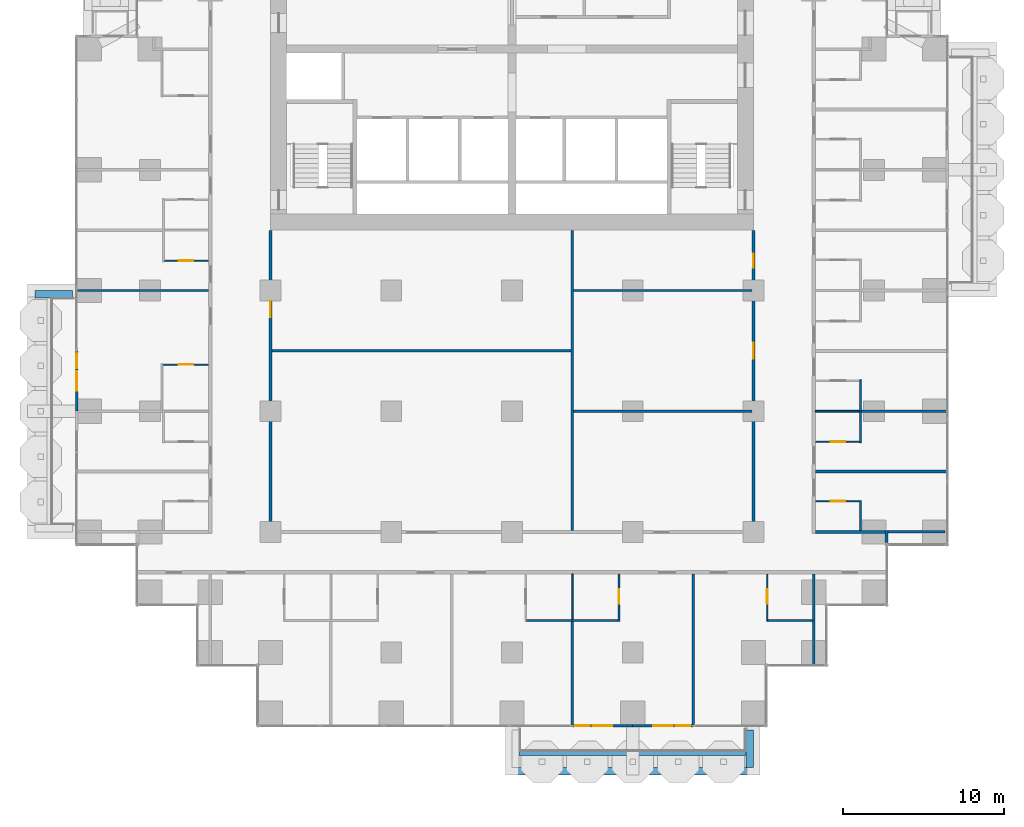
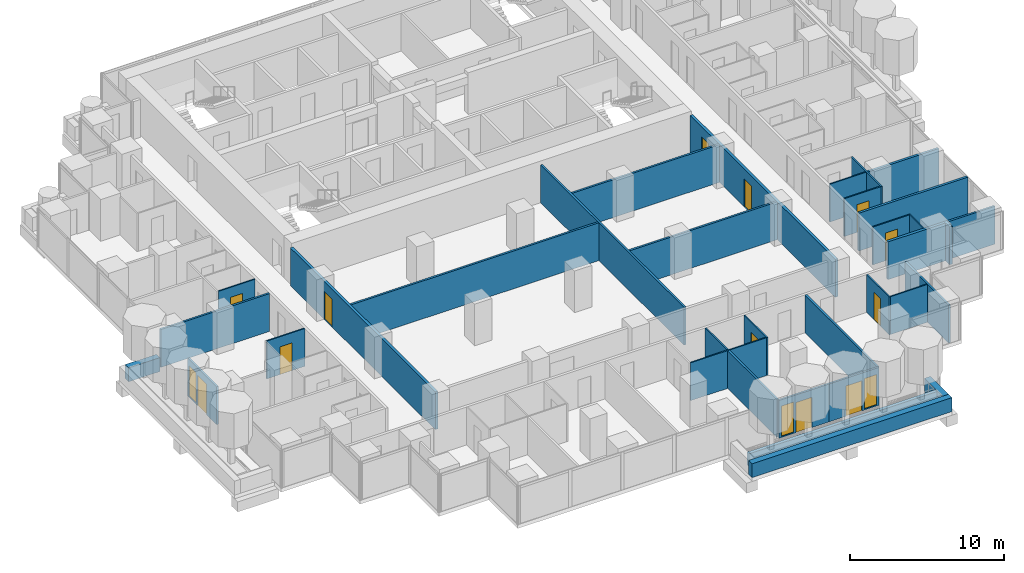
# One storey, part 12 of 19: 34 walls, 12 doors, 3 windows, 15 openings.
"""IFC4 building model written with IfcOpenShell, lengths in metres."""

from ifc_helpers import new_model, si_unit, direction, frame, frame_2d, origin, place, context, subcontext, project, spatial, rectangle, extrude, material, layer, layer_set, type_object, element, fill, save


model = new_model("IFC4")

# Units and contexts
model_context = context("Model", 3, precision=1e-05, world=origin(), true_north=direction((0.0, 1.0)))
body_context = subcontext(model_context, "Body", "Model", "MODEL_VIEW")
ifc_project = project(units=[si_unit("LENGTHUNIT", "METRE"), si_unit("AREAUNIT", "SQUARE_METRE"), si_unit("VOLUMEUNIT", "CUBIC_METRE"), si_unit("PLANEANGLEUNIT", "RADIAN"), si_unit("MASSUNIT", "GRAM", prefix="KILO")], contexts=[model_context])

# Site, building, storey
site_placement = place(None, origin())
site = spatial("IfcSite", under=ifc_project, at=site_placement, CompositionType="ELEMENT")
building_placement = place(site_placement, origin())
building = spatial("IfcBuilding", under=site, at=building_placement, Name="Pilkhan Gate Tower", CompositionType="ELEMENT")
storey_placement = place(building_placement, frame((0.0, 0.0, 59.300048828125)))
storey = spatial("IfcBuildingStorey", under=building, at=storey_placement, Name="L12", CompositionType="ELEMENT", Elevation=59.300048828125)

# Walls
ifc_material_1 = material(Name="Dense blockwork", Category="masonry")
ifc_layer_1 = layer(ifc_material_1, 0.175048828125)
ifc_layer_set_1 = layer_set([ifc_layer_1], Name="Acoustic party wall PW175")
wall_type_1 = type_object("IfcWallType", Name="Acoustic party wall PW175", PredefinedType="PARTITIONING", material=ifc_layer_set_1)
wall_1_placement = place(storey_placement, frame((93.85009765625, 56.25, 0.0), z_axis=(0.0, 0.0, 1.0), x_axis=(1.0, 0.0, 0.0)))
element("IfcWall", 1, at=wall_1_placement, inside=storey, type_object=wall_type_1, Name="Partition L12", PredefinedType="PARTITIONING", context=body_context, shape_type="SweptSolid", body=[
    extrude(rectangle(XDim=8.164794921875, YDim=0.175048828125, at=frame_2d((4.08251953125, 0.0))), origin(), (0.0, 0.0, 1.0), 3.0),
])
wall_2_placement = place(storey_placement, frame((96.699951171875, 60.0, 0.0), z_axis=(0.0, 0.0, 1.0), x_axis=(1.0, 0.0, 0.0)))
element("IfcWall", 2, at=wall_2_placement, inside=storey, type_object=wall_type_1, Name="Partition L12", PredefinedType="PARTITIONING", context=body_context, shape_type="SweptSolid", body=[
    extrude(rectangle(XDim=5.31494140625, YDim=0.175048828125, at=frame_2d((2.657470703125, 0.0))), origin(), (0.0, 0.0, 1.0), 3.0),
])
ifc_material_2 = material(Name="Concrete C40/50", Category="concrete")
ifc_layer_2 = layer(ifc_material_2, 0.25)
ifc_layer_set_2 = layer_set([ifc_layer_2], Name="Balcony planter BP250")
wall_type_2 = type_object("IfcWallType", Name="Balcony planter BP250", PredefinedType="USERDEFINED", material=ifc_layer_set_2)
wall_3_placement = place(storey_placement, frame((75.449951171875, 38.72509765625, 0.0), z_axis=(0.0, 0.0, 1.0), x_axis=(1.0, 0.0, 0.0)))
element("IfcWall", 3, at=wall_3_placement, inside=storey, type_object=wall_type_2, Name="Balcony planter L12 S", ObjectType="BALCONY PLANTER", PredefinedType="USERDEFINED", context=body_context, shape_type="SweptSolid", body=[
    extrude(rectangle(XDim=14.10009765625, YDim=0.25, at=frame_2d((7.050048828125, 0.0))), origin(), (0.0, 0.0, 1.0), 1.0),
])
ifc_material_3 = material(Name="Board-marked Concrete C40/50", Category="concrete")
ifc_layer_3 = layer(ifc_material_3, 0.449951171875)
ifc_layer_set_3 = layer_set([ifc_layer_3], Name="Balcony planter lip BL450")
wall_type_3 = type_object("IfcWallType", Name="Balcony planter lip BL450", PredefinedType="USERDEFINED", material=ifc_layer_set_3)
wall_4_placement = place(storey_placement, frame((75.0, 37.625, 0.0), z_axis=(0.0, 0.0, 1.0), x_axis=(1.0, 0.0, 0.0)))
element("IfcWall", 4, at=wall_4_placement, inside=storey, type_object=wall_type_3, Name="Balcony planter L12 S", ObjectType="BALCONY PLANTER", PredefinedType="USERDEFINED", context=body_context, shape_type="SweptSolid", body=[
    extrude(rectangle(XDim=15.0, YDim=0.449951171875, at=frame_2d((7.5, 0.0))), origin(), (0.0, 0.0, 1.0), 1.099853515625),
])
for number, where, z_axis, x_axis, name in (
    (5, (89.77490234375, 40.199951171875, 0.0), (0.0, 0.0, 1.0), (0.0, -1.0, 0.0), "Balcony planter L12 S"),
    (6, (47.699951171875, 67.27490234375, 0.0), (0.0, 0.0, 1.0), (-1.0, 0.0, 0.0), "Balcony planter L12 W"),
):
    element("IfcWall", number, at=place(storey_placement, frame(where, z_axis=z_axis, x_axis=x_axis)), inside=storey, type_object=wall_type_3, Name=name, ObjectType="BALCONY PLANTER", PredefinedType="USERDEFINED", context=body_context, shape_type="SweptSolid", body=[
        extrude(rectangle(XDim=2.349853515625, YDim=0.449951171875, at=frame_2d((1.1748046875, 0.0))), origin(), (0.0, 0.0, 1.0), 1.099853515625),
    ])
ifc_layer_4 = layer(ifc_material_1, 0.199951171875)
ifc_layer_set_4 = layer_set([ifc_layer_4], Name="Corridor wall FW200")
wall_type_4 = type_object("IfcWallType", Name="Corridor wall FW200", PredefinedType="PARTITIONING", material=ifc_layer_set_4)
wall_5_placement = place(storey_placement, frame((93.85009765625, 52.5, 0.0), z_axis=(0.0, 0.0, 1.0), x_axis=(1.0, 0.0, 0.0)))
element("IfcWall", 7, at=wall_5_placement, inside=storey, type_object=wall_type_4, Name="Partition L12", PredefinedType="PARTITIONING", context=body_context, shape_type="SweptSolid", body=[
    extrude(rectangle(XDim=4.31494140625, YDim=0.199951171875, at=frame_2d((2.157470703125, 0.0))), origin(), (0.0, 0.0, 1.0), 3.0),
])

# Wall, opening, door
wall_6_placement = place(storey_placement, frame((60.0, 52.39990234375, 0.0), z_axis=(0.0, 0.0, 1.0), x_axis=(0.0, 1.0, 0.0)))
wall_6 = element("IfcWall", 8, at=wall_6_placement, inside=storey, type_object=wall_type_4, Name="Partition L12", PredefinedType="PARTITIONING", context=body_context, shape_type="SweptSolid", body=[
    extrude(rectangle(XDim=18.840087890625, YDim=0.199951171875, at=frame_2d((9.419921875, 0.0))), origin(), (0.0, 0.0, 1.0), 3.0),
])
opening_1_placement = place(wall_6_placement, frame((13.449951171875, 0.0, 0.0)))
opening_1 = element("IfcOpeningElement", 9, at=opening_1_placement, cuts=wall_6, Name="Opening L12-57", PredefinedType="OPENING", context=body_context, shape_type="SweptSolid", body=[
    extrude(rectangle(XDim=1.0, YDim=2.199951171875, at=frame_2d((0.5, 1.10009765625))), frame((0.0, 0.10986328125, 0.0), z_axis=(0.0, -1.0, 0.0), x_axis=(1.0, 0.0, 0.0)), (0.0, 0.0, 1.0), 0.219970703125),
])
ifc_material_4 = material(Name="Timber flush door, 30 minute fire resisting", Category="wood")
door_type_1 = type_object("IfcDoorType", Name="Room door D03 1000x2200", OperationType="SINGLE_SWING_LEFT", PredefinedType="DOOR", material=ifc_material_4)
door_1_placement = place(opening_1_placement, origin())
door_1 = element("IfcDoor", 10, at=door_1_placement, inside=storey, type_object=door_type_1, Name="Room door", OperationType="SINGLE_SWING_LEFT", OverallHeight=2.199951171875, OverallWidth=1.0, PredefinedType="DOOR", context=body_context, shape_type="SweptSolid", body=[
    extrude(rectangle(XDim=1.0, YDim=2.199951171875, at=frame_2d((0.5, 1.10009765625))), frame((0.0, 0.02490234375, 0.0), z_axis=(0.0, -1.0, 0.0), x_axis=(1.0, 0.0, 0.0)), (0.0, 0.0, 1.0), 0.050048828125),
])
fill(opening_1, door_1)

# Wall, openings, doors
wall_7_placement = place(storey_placement, frame((90.0, 52.39990234375, 0.0), z_axis=(0.0, 0.0, 1.0), x_axis=(0.0, 1.0, 0.0)))
wall_7 = element("IfcWall", 11, at=wall_7_placement, inside=storey, type_object=wall_type_4, Name="Partition L12", PredefinedType="PARTITIONING", context=body_context, shape_type="SweptSolid", body=[
    extrude(rectangle(XDim=18.840087890625, YDim=0.199951171875, at=frame_2d((9.419921875, 0.0))), origin(), (0.0, 0.0, 1.0), 3.0),
])
opening_2_placement = place(wall_7_placement, frame((10.85009765625, 0.0, 0.0)))
opening_2 = element("IfcOpeningElement", 12, at=opening_2_placement, cuts=wall_7, Name="Opening L12-56", PredefinedType="OPENING", context=body_context, shape_type="SweptSolid", body=[
    extrude(rectangle(XDim=1.0, YDim=2.199951171875, at=frame_2d((0.5, 1.10009765625))), frame((0.0, 0.10986328125, 0.0), z_axis=(0.0, -1.0, 0.0), x_axis=(1.0, 0.0, 0.0)), (0.0, 0.0, 1.0), 0.219970703125),
])
opening_3_placement = place(wall_7_placement, frame((16.5, 0.0, 0.0)))
opening_3 = element("IfcOpeningElement", 13, at=opening_3_placement, cuts=wall_7, Name="Opening L12-58", PredefinedType="OPENING", context=body_context, shape_type="SweptSolid", body=[
    extrude(rectangle(XDim=0.89990234375, YDim=2.199951171875, at=frame_2d((0.449951171875, 1.10009765625))), frame((0.0, 0.10986328125, 0.0), z_axis=(0.0, -1.0, 0.0), x_axis=(1.0, 0.0, 0.0)), (0.0, 0.0, 1.0), 0.219970703125),
])
door_2_placement = place(opening_2_placement, origin())
door_2 = element("IfcDoor", 14, at=door_2_placement, inside=storey, type_object=door_type_1, Name="Room door", OperationType="SINGLE_SWING_RIGHT", OverallHeight=2.199951171875, OverallWidth=1.0, PredefinedType="DOOR", context=body_context, shape_type="SweptSolid", body=[
    extrude(rectangle(XDim=1.0, YDim=2.199951171875, at=frame_2d((0.5, 1.10009765625))), frame((0.0, 0.02490234375, 0.0), z_axis=(0.0, -1.0, 0.0), x_axis=(1.0, 0.0, 0.0)), (0.0, 0.0, 1.0), 0.050048828125),
])
fill(opening_2, door_2)
ifc_material_5 = material(Name="Timber flush door, 60 minute fire resisting, self-closing", Category="wood")
door_type_2 = type_object("IfcDoorType", Name="Store door D05 900x2200", OperationType="SINGLE_SWING_LEFT", PredefinedType="DOOR", material=ifc_material_5)
door_3_placement = place(opening_3_placement, origin())
door_3 = element("IfcDoor", 15, at=door_3_placement, inside=storey, type_object=door_type_2, Name="Store door", OperationType="SINGLE_SWING_RIGHT", OverallHeight=2.199951171875, OverallWidth=0.89990234375, PredefinedType="DOOR", context=body_context, shape_type="SweptSolid", body=[
    extrude(rectangle(XDim=0.89990234375, YDim=2.199951171875, at=frame_2d((0.449951171875, 1.10009765625))), frame((0.0, 0.02490234375, 0.0), z_axis=(0.0, -1.0, 0.0), x_axis=(1.0, 0.0, 0.0)), (0.0, 0.0, 1.0), 0.050048828125),
])
fill(opening_3, door_3)

# Wall
wall_8_placement = place(storey_placement, frame((98.264892578125, 51.85498046875, 0.0), z_axis=(0.0, 0.0, 1.0), x_axis=(0.0, 1.0, 0.0)))
element("IfcWall", 16, at=wall_8_placement, inside=storey, type_object=wall_type_4, Name="Partition L12", PredefinedType="PARTITIONING", context=body_context, shape_type="SweptSolid", body=[
    extrude(rectangle(XDim=0.7451171875, YDim=0.199951171875, at=frame_2d((0.37255859375, 0.0))), origin(), (0.0, 0.0, 1.0), 3.0),
])

# Wall, openings, door, window
ifc_material_6 = material(Name="Pale anodised aluminium, clear laminated glazing", Category="aluminium")
ifc_layer_5 = layer(ifc_material_6, 0.14990234375)
ifc_layer_set_5 = layer_set([ifc_layer_5], Name="Facade infill wall IW150")
wall_type_5 = type_object("IfcWallType", Name="Facade infill wall IW150", PredefinedType="SOLIDWALL", material=ifc_layer_set_5)
wall_9_placement = place(storey_placement, frame((47.955078125, 60.0, 0.0), z_axis=(0.0, 0.0, 1.0), x_axis=(0.0, 1.0, 0.0)))
wall_9 = element("IfcWall", 17, at=wall_9_placement, inside=storey, type_object=wall_type_5, Name="Infill wall L12 W", PredefinedType="SOLIDWALL", context=body_context, shape_type="SweptSolid", body=[
    extrude(rectangle(XDim=3.75, YDim=0.14990234375, at=frame_2d((1.875, 0.0))), origin(), (0.0, 0.0, 1.0), 3.0),
])
opening_4_placement = place(wall_9_placement, frame((1.27490234375, 0.0, 0.0)))
opening_4 = element("IfcOpeningElement", 18, at=opening_4_placement, cuts=wall_9, Name="Opening D1", PredefinedType="OPENING", context=body_context, shape_type="SweptSolid", body=[
    extrude(rectangle(XDim=1.199951171875, YDim=2.39990234375, at=frame_2d((0.60009765625, 1.199951171875))), frame((0.0, 0.0849609375, 0.0), z_axis=(0.0, -1.0, 0.0), x_axis=(1.0, 0.0, 0.0)), (0.0, 0.0, 1.0), 0.169921875),
])
opening_5_placement = place(wall_9_placement, frame((2.66259765625, 0.0, 0.10009765625)))
opening_5 = element("IfcOpeningElement", 19, at=opening_5_placement, cuts=wall_9, Name="Opening W1", PredefinedType="OPENING", context=body_context, shape_type="SweptSolid", body=[
    extrude(rectangle(XDim=0.89990234375, YDim=2.39990234375, at=frame_2d((0.449951171875, 1.199951171875))), frame((0.0, 0.0849609375, 0.0), z_axis=(0.0, -1.0, 0.0), x_axis=(1.0, 0.0, 0.0)), (0.0, 0.0, 1.0), 0.169921875),
])
ifc_material_7 = material(Name="Pale anodised aluminium, clear glazing", Category="aluminium")
door_type_3 = type_object("IfcDoorType", Name="Balcony door D1 1200x2400", OperationType="SINGLE_SWING_LEFT", PredefinedType="DOOR", material=ifc_material_7)
door_4_placement = place(opening_4_placement, origin())
door_4 = element("IfcDoor", 20, at=door_4_placement, inside=storey, type_object=door_type_3, Name="Balcony door L12", OperationType="SINGLE_SWING_LEFT", OverallHeight=2.39990234375, OverallWidth=1.199951171875, PredefinedType="DOOR", context=body_context, shape_type="SweptSolid", body=[
    extrude(rectangle(XDim=1.199951171875, YDim=2.39990234375, at=frame_2d((0.60009765625, 1.199951171875))), frame((0.0, 0.02490234375, 0.0), z_axis=(0.0, -1.0, 0.0), x_axis=(1.0, 0.0, 0.0)), (0.0, 0.0, 1.0), 0.050048828125),
])
fill(opening_4, door_4)
ifc_material_8 = material(Name="Pale anodised aluminium, clear double glazing", Category="aluminium")
window_type = type_object("IfcWindowType", Name="Window W1 900x2400", PartitioningType="SINGLE_PANEL", PredefinedType="WINDOW", material=ifc_material_8)
window_1_placement = place(opening_5_placement, origin())
window_1 = element("IfcWindow", 21, at=window_1_placement, inside=storey, type_object=window_type, Name="Window L12", OverallHeight=2.39990234375, OverallWidth=0.89990234375, PartitioningType="SINGLE_PANEL", PredefinedType="WINDOW", context=body_context, shape_type="SweptSolid", body=[
    extrude(rectangle(XDim=0.89990234375, YDim=2.39990234375, at=frame_2d((0.449951171875, 1.199951171875))), frame((0.0, 0.030029296875, 0.0), z_axis=(0.0, -1.0, 0.0), x_axis=(1.0, 0.0, 0.0)), (0.0, 0.0, 1.0), 0.06005859375),
])
fill(opening_5, window_1)

wall_10_placement = place(storey_placement, frame((78.75, 40.455078125, 0.0), z_axis=(0.0, 0.0, 1.0), x_axis=(1.0, 0.0, 0.0)))
wall_10 = element("IfcWall", 22, at=wall_10_placement, inside=storey, type_object=wall_type_5, Name="Infill wall L12 S", PredefinedType="SOLIDWALL", context=body_context, shape_type="SweptSolid", body=[
    extrude(rectangle(XDim=3.75, YDim=0.14990234375, at=frame_2d((1.875, 0.0))), origin(), (0.0, 0.0, 1.0), 3.0),
])
opening_6_placement = place(wall_10_placement, frame((0.1875, 0.0, 0.10009765625)))
opening_6 = element("IfcOpeningElement", 23, at=opening_6_placement, cuts=wall_10, Name="Opening W1", PredefinedType="OPENING", context=body_context, shape_type="SweptSolid", body=[
    extrude(rectangle(XDim=0.89990234375, YDim=2.39990234375, at=frame_2d((0.449951171875, 1.199951171875))), frame((0.0, 0.0849609375, 0.0), z_axis=(0.0, -1.0, 0.0), x_axis=(1.0, 0.0, 0.0)), (0.0, 0.0, 1.0), 0.169921875),
])
opening_7_placement = place(wall_10_placement, frame((1.27490234375, 0.0, 0.0)))
opening_7 = element("IfcOpeningElement", 24, at=opening_7_placement, cuts=wall_10, Name="Opening D1", PredefinedType="OPENING", context=body_context, shape_type="SweptSolid", body=[
    extrude(rectangle(XDim=1.199951171875, YDim=2.39990234375, at=frame_2d((0.60009765625, 1.199951171875))), frame((0.0, 0.0849609375, 0.0), z_axis=(0.0, -1.0, 0.0), x_axis=(1.0, 0.0, 0.0)), (0.0, 0.0, 1.0), 0.169921875),
])
door_5_placement = place(opening_7_placement, origin())
door_5 = element("IfcDoor", 25, at=door_5_placement, inside=storey, type_object=door_type_3, Name="Balcony door L12", OperationType="SINGLE_SWING_LEFT", OverallHeight=2.39990234375, OverallWidth=1.199951171875, PredefinedType="DOOR", context=body_context, shape_type="SweptSolid", body=[
    extrude(rectangle(XDim=1.199951171875, YDim=2.39990234375, at=frame_2d((0.60009765625, 1.199951171875))), frame((0.0, 0.02490234375, 0.0), z_axis=(0.0, -1.0, 0.0), x_axis=(1.0, 0.0, 0.0)), (0.0, 0.0, 1.0), 0.050048828125),
])
fill(opening_7, door_5)
window_2_placement = place(opening_6_placement, origin())
window_2 = element("IfcWindow", 26, at=window_2_placement, inside=storey, type_object=window_type, Name="Window L12", OverallHeight=2.39990234375, OverallWidth=0.89990234375, PartitioningType="SINGLE_PANEL", PredefinedType="WINDOW", context=body_context, shape_type="SweptSolid", body=[
    extrude(rectangle(XDim=0.89990234375, YDim=2.39990234375, at=frame_2d((0.449951171875, 1.199951171875))), frame((0.0, 0.030029296875, 0.0), z_axis=(0.0, -1.0, 0.0), x_axis=(1.0, 0.0, 0.0)), (0.0, 0.0, 1.0), 0.06005859375),
])
fill(opening_6, window_2)

wall_11_placement = place(storey_placement, frame((82.5, 40.455078125, 0.0), z_axis=(0.0, 0.0, 1.0), x_axis=(1.0, 0.0, 0.0)))
wall_11 = element("IfcWall", 27, at=wall_11_placement, inside=storey, type_object=wall_type_5, Name="Infill wall L12 S", PredefinedType="SOLIDWALL", context=body_context, shape_type="SweptSolid", body=[
    extrude(rectangle(XDim=3.75, YDim=0.14990234375, at=frame_2d((1.875, 0.0))), origin(), (0.0, 0.0, 1.0), 3.0),
])
opening_8_placement = place(wall_11_placement, frame((1.27490234375, 0.0, 0.0)))
opening_8 = element("IfcOpeningElement", 28, at=opening_8_placement, cuts=wall_11, Name="Opening D1", PredefinedType="OPENING", context=body_context, shape_type="SweptSolid", body=[
    extrude(rectangle(XDim=1.199951171875, YDim=2.39990234375, at=frame_2d((0.60009765625, 1.199951171875))), frame((0.0, 0.0849609375, 0.0), z_axis=(0.0, -1.0, 0.0), x_axis=(1.0, 0.0, 0.0)), (0.0, 0.0, 1.0), 0.169921875),
])
opening_9_placement = place(wall_11_placement, frame((2.66259765625, 0.0, 0.10009765625)))
opening_9 = element("IfcOpeningElement", 29, at=opening_9_placement, cuts=wall_11, Name="Opening W1", PredefinedType="OPENING", context=body_context, shape_type="SweptSolid", body=[
    extrude(rectangle(XDim=0.89990234375, YDim=2.39990234375, at=frame_2d((0.449951171875, 1.199951171875))), frame((0.0, 0.0849609375, 0.0), z_axis=(0.0, -1.0, 0.0), x_axis=(1.0, 0.0, 0.0)), (0.0, 0.0, 1.0), 0.169921875),
])
door_6_placement = place(opening_8_placement, origin())
door_6 = element("IfcDoor", 30, at=door_6_placement, inside=storey, type_object=door_type_3, Name="Balcony door L12", OperationType="SINGLE_SWING_LEFT", OverallHeight=2.39990234375, OverallWidth=1.199951171875, PredefinedType="DOOR", context=body_context, shape_type="SweptSolid", body=[
    extrude(rectangle(XDim=1.199951171875, YDim=2.39990234375, at=frame_2d((0.60009765625, 1.199951171875))), frame((0.0, 0.02490234375, 0.0), z_axis=(0.0, -1.0, 0.0), x_axis=(1.0, 0.0, 0.0)), (0.0, 0.0, 1.0), 0.050048828125),
])
fill(opening_8, door_6)
window_3_placement = place(opening_9_placement, origin())
window_3 = element("IfcWindow", 31, at=window_3_placement, inside=storey, type_object=window_type, Name="Window L12", OverallHeight=2.39990234375, OverallWidth=0.89990234375, PartitioningType="SINGLE_PANEL", PredefinedType="WINDOW", context=body_context, shape_type="SweptSolid", body=[
    extrude(rectangle(XDim=0.89990234375, YDim=2.39990234375, at=frame_2d((0.449951171875, 1.199951171875))), frame((0.0, 0.030029296875, 0.0), z_axis=(0.0, -1.0, 0.0), x_axis=(1.0, 0.0, 0.0)), (0.0, 0.0, 1.0), 0.06005859375),
])
fill(opening_9, window_3)

# Walls
ifc_material_9 = material(Name="Blockwork partition, plastered both sides", Category="masonry")
ifc_layer_6 = layer(ifc_material_9, 0.14990234375)
ifc_layer_set_6 = layer_set([ifc_layer_6], Name="Partition PW150")
wall_type_6 = type_object("IfcWallType", Name="Partition PW150", PredefinedType="PARTITIONING", material=ifc_layer_set_6)
wall_12_placement = place(storey_placement, frame((98.364990234375, 52.5, 0.0), z_axis=(0.0, 0.0, 1.0), x_axis=(1.0, 0.0, 0.0)))
element("IfcWall", 32, at=wall_12_placement, inside=storey, type_object=wall_type_6, Name="Partition L12", PredefinedType="PARTITIONING", context=body_context, shape_type="SweptSolid", body=[
    extrude(rectangle(XDim=3.530029296875, YDim=0.14990234375, at=frame_2d((1.76513671875, 0.0))), origin(), (0.0, 0.0, 1.0), 3.0),
])
wall_13_placement = place(storey_placement, frame((78.824951171875, 60.0, 0.0), z_axis=(0.0, 0.0, 1.0), x_axis=(1.0, 0.0, 0.0)))
element("IfcWall", 33, at=wall_13_placement, inside=storey, type_object=wall_type_6, Name="Partition L12", PredefinedType="PARTITIONING", context=body_context, shape_type="SweptSolid", body=[
    extrude(rectangle(XDim=11.074951171875, YDim=0.14990234375, at=frame_2d((5.53759765625, 0.0))), origin(), (0.0, 0.0, 1.0), 3.0),
])
wall_14_placement = place(storey_placement, frame((60.10009765625, 63.75, 0.0), z_axis=(0.0, 0.0, 1.0), x_axis=(1.0, 0.0, 0.0)))
element("IfcWall", 34, at=wall_14_placement, inside=storey, type_object=wall_type_6, Name="Partition L12", PredefinedType="PARTITIONING", context=body_context, shape_type="SweptSolid", body=[
    extrude(rectangle(XDim=18.574951171875, YDim=0.14990234375, at=frame_2d((9.28759765625, 0.0))), origin(), (0.0, 0.0, 1.0), 3.0),
])
wall_15_placement = place(storey_placement, frame((47.985107421875, 67.5, 0.0), z_axis=(0.0, 0.0, 1.0), x_axis=(1.0, 0.0, 0.0)))
element("IfcWall", 35, at=wall_15_placement, inside=storey, type_object=wall_type_6, Name="Partition L12", PredefinedType="PARTITIONING", context=body_context, shape_type="SweptSolid", body=[
    extrude(rectangle(XDim=8.164794921875, YDim=0.14990234375, at=frame_2d((4.08251953125, 0.0))), origin(), (0.0, 0.0, 1.0), 3.0),
])
wall_16_placement = place(storey_placement, frame((78.824951171875, 67.5, 0.0), z_axis=(0.0, 0.0, 1.0), x_axis=(1.0, 0.0, 0.0)))
element("IfcWall", 36, at=wall_16_placement, inside=storey, type_object=wall_type_6, Name="Partition L12", PredefinedType="PARTITIONING", context=body_context, shape_type="SweptSolid", body=[
    extrude(rectangle(XDim=11.074951171875, YDim=0.14990234375, at=frame_2d((5.53759765625, 0.0))), origin(), (0.0, 0.0, 1.0), 3.0),
])
wall_17_placement = place(storey_placement, frame((78.75, 40.5400390625, 0.0), z_axis=(0.0, 0.0, 1.0), x_axis=(0.0, 1.0, 0.0)))
element("IfcWall", 37, at=wall_17_placement, inside=storey, type_object=wall_type_6, Name="Partition L12", PredefinedType="PARTITIONING", context=body_context, shape_type="SweptSolid", body=[
    extrude(rectangle(XDim=6.409912109375, YDim=0.14990234375, at=frame_2d((3.205078125, 0.0))), origin(), (0.0, 0.0, 1.0), 3.0),
])
wall_18_placement = place(storey_placement, frame((78.75, 52.60009765625, 0.0), z_axis=(0.0, 0.0, 1.0), x_axis=(0.0, 1.0, 0.0)))
element("IfcWall", 38, at=wall_18_placement, inside=storey, type_object=wall_type_6, Name="Partition L12", PredefinedType="PARTITIONING", context=body_context, shape_type="SweptSolid", body=[
    extrude(rectangle(XDim=18.639892578125, YDim=0.14990234375, at=frame_2d((9.31982421875, 0.0))), origin(), (0.0, 0.0, 1.0), 3.0),
])
wall_19_placement = place(storey_placement, frame((86.25, 40.5400390625, 0.0), z_axis=(0.0, 0.0, 1.0), x_axis=(0.0, 1.0, 0.0)))
element("IfcWall", 39, at=wall_19_placement, inside=storey, type_object=wall_type_6, Name="Partition L12", PredefinedType="PARTITIONING", context=body_context, shape_type="SweptSolid", body=[
    extrude(rectangle(XDim=9.35986328125, YDim=0.14990234375, at=frame_2d((4.679931640625, 0.0))), origin(), (0.0, 0.0, 1.0), 3.0),
])
wall_20_placement = place(storey_placement, frame((93.75, 44.235107421875, 0.0), z_axis=(0.0, 0.0, 1.0), x_axis=(0.0, 1.0, 0.0)))
element("IfcWall", 40, at=wall_20_placement, inside=storey, type_object=wall_type_6, Name="Partition L12", PredefinedType="PARTITIONING", context=body_context, shape_type="SweptSolid", body=[
    extrude(rectangle(XDim=5.664794921875, YDim=0.14990234375, at=frame_2d((2.83251953125, 0.0))), origin(), (0.0, 0.0, 1.0), 3.0),
])
ifc_material_10 = material(Name="Moisture resistant board, tiled")
ifc_layer_7 = layer(ifc_material_10, 0.10009765625)
ifc_layer_set_7 = layer_set([ifc_layer_7], Name="Wet wall PW100")
wall_type_7 = type_object("IfcWallType", Name="Wet wall PW100", PredefinedType="PARTITIONING", material=ifc_layer_set_7)
wall_21_placement = place(storey_placement, frame((75.89990234375, 47.0, 0.0), z_axis=(0.0, 0.0, 1.0), x_axis=(1.0, 0.0, 0.0)))
element("IfcWall", 41, at=wall_21_placement, inside=storey, type_object=wall_type_7, Name="Partition L12", PredefinedType="PARTITIONING", context=body_context, shape_type="SweptSolid", body=[
    extrude(rectangle(XDim=5.7001953125, YDim=0.10009765625, at=frame_2d((2.85009765625, 0.0))), origin(), (0.0, 0.0, 1.0), 3.0),
])
wall_22_placement = place(storey_placement, frame((90.89990234375, 47.0, 0.0), z_axis=(0.0, 0.0, 1.0), x_axis=(1.0, 0.0, 0.0)))
element("IfcWall", 42, at=wall_22_placement, inside=storey, type_object=wall_type_7, Name="Partition L12", PredefinedType="PARTITIONING", context=body_context, shape_type="SweptSolid", body=[
    extrude(rectangle(XDim=2.775146484375, YDim=0.10009765625, at=frame_2d((1.3876953125, 0.0))), origin(), (0.0, 0.0, 1.0), 3.0),
])

# Wall, opening, door
wall_23_placement = place(storey_placement, frame((93.85009765625, 54.39990234375, 0.0), z_axis=(0.0, 0.0, 1.0), x_axis=(1.0, 0.0, 0.0)))
wall_23 = element("IfcWall", 43, at=wall_23_placement, inside=storey, type_object=wall_type_7, Name="Partition L12", PredefinedType="PARTITIONING", context=body_context, shape_type="SweptSolid", body=[
    extrude(rectangle(XDim=2.75, YDim=0.10009765625, at=frame_2d((1.375, 0.0))), origin(), (0.0, 0.0, 1.0), 3.0),
])
opening_10_placement = place(wall_23_placement, frame((0.949951171875, 0.0, 0.0)))
opening_10 = element("IfcOpeningElement", 44, at=opening_10_placement, cuts=wall_23, Name="Opening L12-29", PredefinedType="OPENING", context=body_context, shape_type="SweptSolid", body=[
    extrude(rectangle(XDim=0.89990234375, YDim=2.199951171875, at=frame_2d((0.449951171875, 1.10009765625))), frame((0.0, 0.06005859375, 0.0), z_axis=(0.0, -1.0, 0.0), x_axis=(1.0, 0.0, 0.0)), (0.0, 0.0, 1.0), 0.1201171875),
])
ifc_material_11 = material(Name="Timber flush door", Category="wood")
door_type_4 = type_object("IfcDoorType", Name="Bathroom door D02 900x2200", OperationType="SINGLE_SWING_RIGHT", PredefinedType="DOOR", material=ifc_material_11)
door_7_placement = place(opening_10_placement, origin())
door_7 = element("IfcDoor", 45, at=door_7_placement, inside=storey, type_object=door_type_4, Name="Bathroom door", OperationType="SINGLE_SWING_RIGHT", OverallHeight=2.199951171875, OverallWidth=0.89990234375, PredefinedType="DOOR", context=body_context, shape_type="SweptSolid", body=[
    extrude(rectangle(XDim=0.89990234375, YDim=2.199951171875, at=frame_2d((0.449951171875, 1.10009765625))), frame((0.0, 0.02490234375, 0.0), z_axis=(0.0, -1.0, 0.0), x_axis=(1.0, 0.0, 0.0)), (0.0, 0.0, 1.0), 0.050048828125),
])
fill(opening_10, door_7)

wall_24_placement = place(storey_placement, frame((93.85009765625, 58.10009765625, 0.0), z_axis=(0.0, 0.0, 1.0), x_axis=(1.0, 0.0, 0.0)))
wall_24 = element("IfcWall", 46, at=wall_24_placement, inside=storey, type_object=wall_type_7, Name="Partition L12", PredefinedType="PARTITIONING", context=body_context, shape_type="SweptSolid", body=[
    extrude(rectangle(XDim=2.75, YDim=0.10009765625, at=frame_2d((1.375, 0.0))), origin(), (0.0, 0.0, 1.0), 3.0),
])
opening_11_placement = place(wall_24_placement, frame((0.949951171875, 0.0, 0.0)))
opening_11 = element("IfcOpeningElement", 47, at=opening_11_placement, cuts=wall_24, Name="Opening L12-31", PredefinedType="OPENING", context=body_context, shape_type="SweptSolid", body=[
    extrude(rectangle(XDim=0.89990234375, YDim=2.199951171875, at=frame_2d((0.449951171875, 1.10009765625))), frame((0.0, 0.06005859375, 0.0), z_axis=(0.0, -1.0, 0.0), x_axis=(1.0, 0.0, 0.0)), (0.0, 0.0, 1.0), 0.1201171875),
])
door_8_placement = place(opening_11_placement, origin())
door_8 = element("IfcDoor", 48, at=door_8_placement, inside=storey, type_object=door_type_4, Name="Bathroom door", OperationType="SINGLE_SWING_RIGHT", OverallHeight=2.199951171875, OverallWidth=0.89990234375, PredefinedType="DOOR", context=body_context, shape_type="SweptSolid", body=[
    extrude(rectangle(XDim=0.89990234375, YDim=2.199951171875, at=frame_2d((0.449951171875, 1.10009765625))), frame((0.0, 0.02490234375, 0.0), z_axis=(0.0, -1.0, 0.0), x_axis=(1.0, 0.0, 0.0)), (0.0, 0.0, 1.0), 0.050048828125),
])
fill(opening_11, door_8)

# Wall
wall_25_placement = place(storey_placement, frame((93.85009765625, 60.0, 0.0), z_axis=(0.0, 0.0, 1.0), x_axis=(1.0, 0.0, 0.0)))
element("IfcWall", 49, at=wall_25_placement, inside=storey, type_object=wall_type_7, Name="Partition L12", PredefinedType="PARTITIONING", context=body_context, shape_type="SweptSolid", body=[
    extrude(rectangle(XDim=2.75, YDim=0.10009765625, at=frame_2d((1.375, 0.0))), origin(), (0.0, 0.0, 1.0), 3.0),
])

# Wall, opening, door
wall_26_placement = place(storey_placement, frame((53.300048828125, 62.89990234375, 0.0), z_axis=(0.0, 0.0, 1.0), x_axis=(1.0, 0.0, 0.0)))
wall_26 = element("IfcWall", 50, at=wall_26_placement, inside=storey, type_object=wall_type_7, Name="Partition L12", PredefinedType="PARTITIONING", context=body_context, shape_type="SweptSolid", body=[
    extrude(rectangle(XDim=2.849853515625, YDim=0.10009765625, at=frame_2d((1.4248046875, 0.0))), origin(), (0.0, 0.0, 1.0), 3.0),
])
opening_12_placement = place(wall_26_placement, frame((1.0, 0.0, 0.0)))
opening_12 = element("IfcOpeningElement", 51, at=opening_12_placement, cuts=wall_26, Name="Opening L12-21", PredefinedType="OPENING", context=body_context, shape_type="SweptSolid", body=[
    extrude(rectangle(XDim=0.89990234375, YDim=2.199951171875, at=frame_2d((0.449951171875, 1.10009765625))), frame((0.0, 0.06005859375, 0.0), z_axis=(0.0, -1.0, 0.0), x_axis=(1.0, 0.0, 0.0)), (0.0, 0.0, 1.0), 0.1201171875),
])
door_9_placement = place(opening_12_placement, origin())
door_9 = element("IfcDoor", 52, at=door_9_placement, inside=storey, type_object=door_type_4, Name="Bathroom door", OperationType="SINGLE_SWING_RIGHT", OverallHeight=2.199951171875, OverallWidth=0.89990234375, PredefinedType="DOOR", context=body_context, shape_type="SweptSolid", body=[
    extrude(rectangle(XDim=0.89990234375, YDim=2.199951171875, at=frame_2d((0.449951171875, 1.10009765625))), frame((0.0, 0.02490234375, 0.0), z_axis=(0.0, -1.0, 0.0), x_axis=(1.0, 0.0, 0.0)), (0.0, 0.0, 1.0), 0.050048828125),
])
fill(opening_12, door_9)

wall_27_placement = place(storey_placement, frame((53.39990234375, 69.35009765625, 0.0), z_axis=(0.0, 0.0, 1.0), x_axis=(1.0, 0.0, 0.0)))
wall_27 = element("IfcWall", 53, at=wall_27_placement, inside=storey, type_object=wall_type_7, Name="Partition L12", PredefinedType="PARTITIONING", context=body_context, shape_type="SweptSolid", body=[
    extrude(rectangle(XDim=2.75, YDim=0.10009765625, at=frame_2d((1.375, 0.0))), origin(), (0.0, 0.0, 1.0), 3.0),
])
opening_13_placement = place(wall_27_placement, frame((0.89990234375, 0.0, 0.0)))
opening_13 = element("IfcOpeningElement", 54, at=opening_13_placement, cuts=wall_27, Name="Opening L12-23", PredefinedType="OPENING", context=body_context, shape_type="SweptSolid", body=[
    extrude(rectangle(XDim=0.89990234375, YDim=2.199951171875, at=frame_2d((0.449951171875, 1.10009765625))), frame((0.0, 0.06005859375, 0.0), z_axis=(0.0, -1.0, 0.0), x_axis=(1.0, 0.0, 0.0)), (0.0, 0.0, 1.0), 0.1201171875),
])
door_10_placement = place(opening_13_placement, origin())
door_10 = element("IfcDoor", 55, at=door_10_placement, inside=storey, type_object=door_type_4, Name="Bathroom door", OperationType="SINGLE_SWING_RIGHT", OverallHeight=2.199951171875, OverallWidth=0.89990234375, PredefinedType="DOOR", context=body_context, shape_type="SweptSolid", body=[
    extrude(rectangle(XDim=0.89990234375, YDim=2.199951171875, at=frame_2d((0.449951171875, 1.10009765625))), frame((0.0, 0.02490234375, 0.0), z_axis=(0.0, -1.0, 0.0), x_axis=(1.0, 0.0, 0.0)), (0.0, 0.0, 1.0), 0.050048828125),
])
fill(opening_13, door_10)

# Wall
wall_28_placement = place(storey_placement, frame((78.75, 47.050048828125, 0.0), z_axis=(0.0, 0.0, 1.0), x_axis=(0.0, 1.0, 0.0)))
element("IfcWall", 56, at=wall_28_placement, inside=storey, type_object=wall_type_7, Name="Partition L12", PredefinedType="PARTITIONING", context=body_context, shape_type="SweptSolid", body=[
    extrude(rectangle(XDim=2.849853515625, YDim=0.10009765625, at=frame_2d((1.4248046875, 0.0))), origin(), (0.0, 0.0, 1.0), 3.0),
])

# Wall, opening, door
wall_29_placement = place(storey_placement, frame((81.64990234375, 46.949951171875, 0.0), z_axis=(0.0, 0.0, 1.0), x_axis=(0.0, 1.0, 0.0)))
wall_29 = element("IfcWall", 57, at=wall_29_placement, inside=storey, type_object=wall_type_7, Name="Partition L12", PredefinedType="PARTITIONING", context=body_context, shape_type="SweptSolid", body=[
    extrude(rectangle(XDim=2.949951171875, YDim=0.10009765625, at=frame_2d((1.47509765625, 0.0))), origin(), (0.0, 0.0, 1.0), 3.0),
])
opening_14_placement = place(wall_29_placement, frame((1.10009765625, 0.0, 0.0)))
opening_14 = element("IfcOpeningElement", 58, at=opening_14_placement, cuts=wall_29, Name="Opening L12-13", PredefinedType="OPENING", context=body_context, shape_type="SweptSolid", body=[
    extrude(rectangle(XDim=0.89990234375, YDim=2.199951171875, at=frame_2d((0.449951171875, 1.10009765625))), frame((0.0, 0.06005859375, 0.0), z_axis=(0.0, -1.0, 0.0), x_axis=(1.0, 0.0, 0.0)), (0.0, 0.0, 1.0), 0.1201171875),
])
door_11_placement = place(opening_14_placement, origin())
door_11 = element("IfcDoor", 59, at=door_11_placement, inside=storey, type_object=door_type_4, Name="Bathroom door", OperationType="SINGLE_SWING_RIGHT", OverallHeight=2.199951171875, OverallWidth=0.89990234375, PredefinedType="DOOR", context=body_context, shape_type="SweptSolid", body=[
    extrude(rectangle(XDim=0.89990234375, YDim=2.199951171875, at=frame_2d((0.449951171875, 1.10009765625))), frame((0.0, 0.02490234375, 0.0), z_axis=(0.0, -1.0, 0.0), x_axis=(1.0, 0.0, 0.0)), (0.0, 0.0, 1.0), 0.050048828125),
])
fill(opening_14, door_11)

wall_30_placement = place(storey_placement, frame((90.85009765625, 46.949951171875, 0.0), z_axis=(0.0, 0.0, 1.0), x_axis=(0.0, 1.0, 0.0)))
wall_30 = element("IfcWall", 60, at=wall_30_placement, inside=storey, type_object=wall_type_7, Name="Partition L12", PredefinedType="PARTITIONING", context=body_context, shape_type="SweptSolid", body=[
    extrude(rectangle(XDim=2.949951171875, YDim=0.10009765625, at=frame_2d((1.47509765625, 0.0))), origin(), (0.0, 0.0, 1.0), 3.0),
])
opening_15_placement = place(wall_30_placement, frame((1.10009765625, 0.0, 0.0)))
opening_15 = element("IfcOpeningElement", 61, at=opening_15_placement, cuts=wall_30, Name="Opening L12-15", PredefinedType="OPENING", context=body_context, shape_type="SweptSolid", body=[
    extrude(rectangle(XDim=0.89990234375, YDim=2.199951171875, at=frame_2d((0.449951171875, 1.10009765625))), frame((0.0, 0.06005859375, 0.0), z_axis=(0.0, -1.0, 0.0), x_axis=(1.0, 0.0, 0.0)), (0.0, 0.0, 1.0), 0.1201171875),
])
door_12_placement = place(opening_15_placement, origin())
door_12 = element("IfcDoor", 62, at=door_12_placement, inside=storey, type_object=door_type_4, Name="Bathroom door", OperationType="SINGLE_SWING_RIGHT", OverallHeight=2.199951171875, OverallWidth=0.89990234375, PredefinedType="DOOR", context=body_context, shape_type="SweptSolid", body=[
    extrude(rectangle(XDim=0.89990234375, YDim=2.199951171875, at=frame_2d((0.449951171875, 1.10009765625))), frame((0.0, 0.02490234375, 0.0), z_axis=(0.0, -1.0, 0.0), x_axis=(1.0, 0.0, 0.0)), (0.0, 0.0, 1.0), 0.050048828125),
])
fill(opening_15, door_12)

# Walls
wall_31_placement = place(storey_placement, frame((96.64990234375, 52.60009765625, 0.0), z_axis=(0.0, 0.0, 1.0), x_axis=(0.0, 1.0, 0.0)))
element("IfcWall", 63, at=wall_31_placement, inside=storey, type_object=wall_type_7, Name="Partition L12", PredefinedType="PARTITIONING", context=body_context, shape_type="SweptSolid", body=[
    extrude(rectangle(XDim=1.849853515625, YDim=0.10009765625, at=frame_2d((0.9248046875, 0.0))), origin(), (0.0, 0.0, 1.0), 3.0),
])
wall_32_placement = place(storey_placement, frame((96.64990234375, 58.050048828125, 0.0), z_axis=(0.0, 0.0, 1.0), x_axis=(0.0, 1.0, 0.0)))
element("IfcWall", 64, at=wall_32_placement, inside=storey, type_object=wall_type_7, Name="Partition L12", PredefinedType="PARTITIONING", context=body_context, shape_type="SweptSolid", body=[
    extrude(rectangle(XDim=3.89990234375, YDim=0.10009765625, at=frame_2d((1.949951171875, 0.0))), origin(), (0.0, 0.0, 1.0), 3.0),
])

save(model, "model.ifc")
